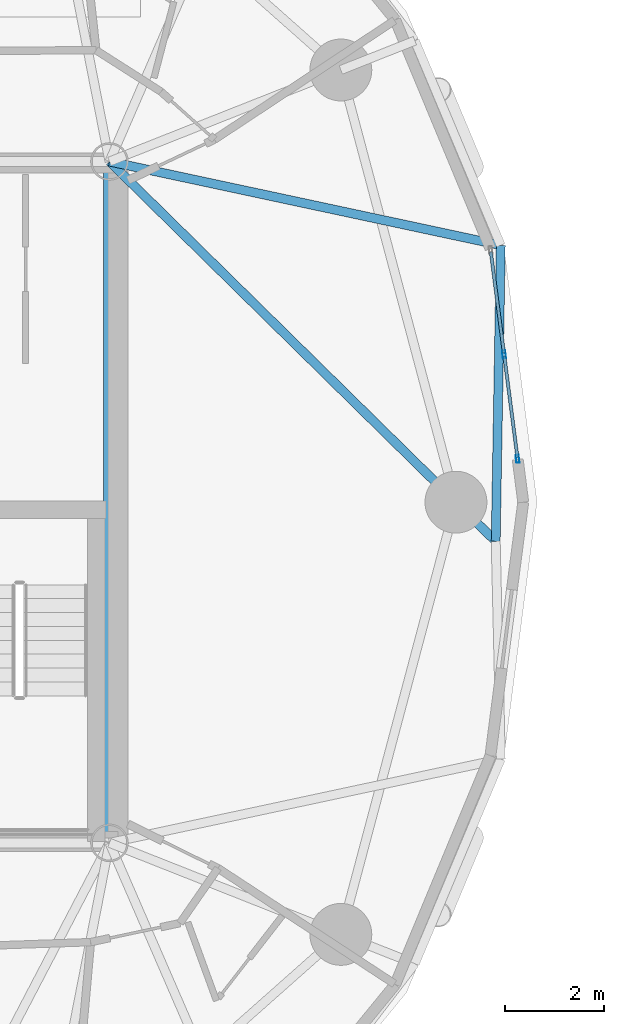
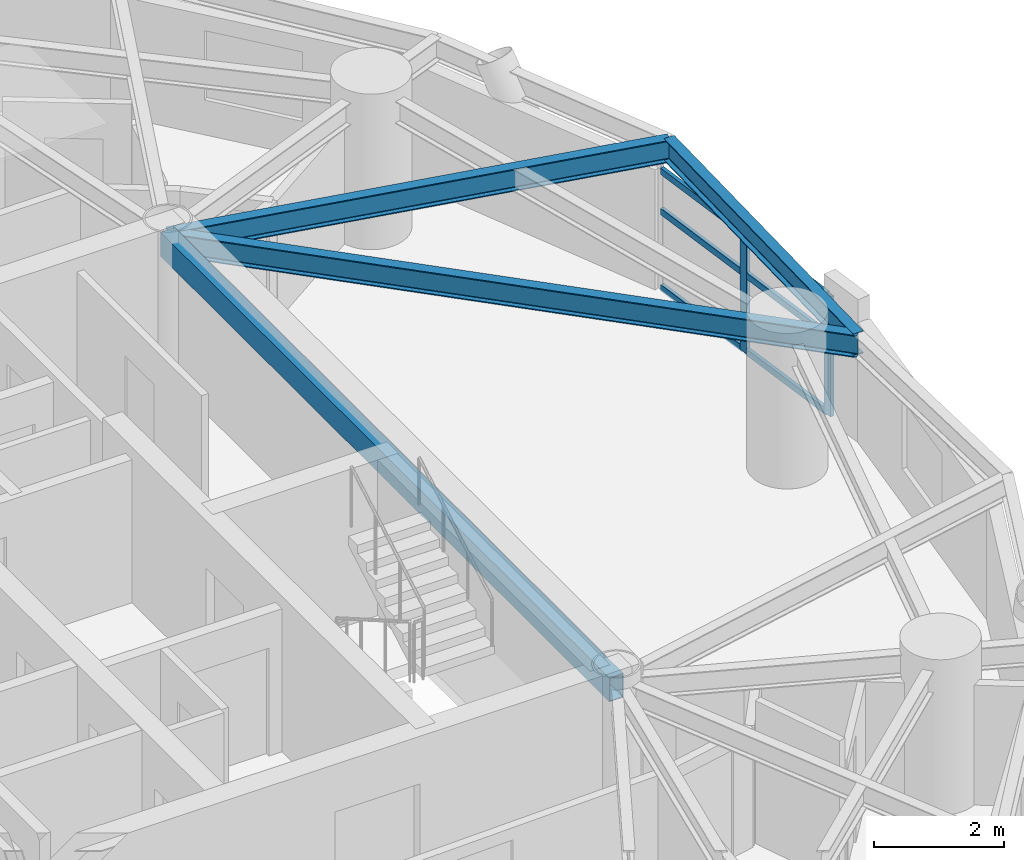
# One storey, part 2 of 16: 8 members, 4 beams, 1 element without a shape of its own.
"""IFC4 building model written with IfcOpenShell, lengths in metres."""

import ifcopenshell
import ifcopenshell.guid

model = None  # the IFC model being written
_history = None  # IfcOwnerHistory: only IFC2X3 demands one
_inside = {}  # id of a spatial element -> (the spatial element, [elements in it])
_under = {}  # id of a project, library or spatial element -> (it, [spatial elements below it])
_declared = {}  # id of a project -> (the project, [libraries it declares])
_typed = {}  # id of a type object -> (the type object, [elements of that type])
_made_of = {}  # id of a material, layer set ... -> (it, [elements and type objects made of it])


def new_model(schema):
    """Start an empty IFC model of exactly this schema.

    Asked for "IFC4X3", IfcOpenShell would pick the latest addendum, in which some entities
    have other attributes; the version numbers below select the first issue.
    IFC2X3 requires an IfcOwnerHistory on every rooted entity: one is made here for all.
    """
    global model, _history
    if schema == "IFC4X3":
        model = ifcopenshell.file(schema_version=(4, 3, 0, 0))
    else:
        model = ifcopenshell.file(schema=schema)
    _inside.clear()
    _under.clear()
    _declared.clear()
    _typed.clear()
    _made_of.clear()
    _history = None
    if model.schema == "IFC2X3":
        org = make("IfcOrganization", Name="unknown")
        user = make(
            "IfcPersonAndOrganization",
            ThePerson=make("IfcPerson", FamilyName="unknown"),
            TheOrganization=org,
        )
        app = make(
            "IfcApplication",
            ApplicationDeveloper=org,
            Version="unknown",
            ApplicationFullName="unknown",
            ApplicationIdentifier="unknown",
        )
        _history = make(
            "IfcOwnerHistory",
            OwningUser=user,
            OwningApplication=app,
            ChangeAction="ADDED",
            CreationDate=0,
        )
    return model


def make(cls, **values):
    """One entity of the class cls with the attributes given. An attribute that is None is left unset."""
    return model.create_entity(
        cls, **{name: value for name, value in values.items() if value is not None}
    )


def rooted(cls, **values):
    """An entity with a GlobalId (a new one), such as an element, a storey or a relation."""
    return make(cls, GlobalId=ifcopenshell.guid.new(), OwnerHistory=_history, **values)


def si_unit(unit_type, name, prefix=None):
    """IfcSIUnit, for example si_unit("LENGTHUNIT", "METRE", prefix="MILLI")."""
    return make("IfcSIUnit", UnitType=unit_type, Prefix=prefix, Name=name)


def assignment(units):
    """IfcUnitAssignment: the units of a project."""
    return None if units is None else make("IfcUnitAssignment", Units=units)


def point(xyz):
    """IfcCartesianPoint."""
    return None if xyz is None else make("IfcCartesianPoint", Coordinates=xyz)


def direction(xyz):
    """IfcDirection."""
    return None if xyz is None else make("IfcDirection", DirectionRatios=xyz)


def frame(location, z_axis=None, x_axis=None):
    """IfcAxis2Placement3D, a coordinate frame: its origin and axes. An axis left out is left unset."""
    return make(
        "IfcAxis2Placement3D",
        Location=point(location),
        Axis=direction(z_axis),
        RefDirection=direction(x_axis),
    )


def frame_2d(location, x_axis=None):
    """IfcAxis2Placement2D, a coordinate frame in the plane: its origin and x axis."""
    return make(
        "IfcAxis2Placement2D", Location=point(location), RefDirection=direction(x_axis)
    )


def origin():
    """The frame at (0, 0, 0) with its axes left unset."""
    return frame((0.0, 0.0, 0.0))


def origin_2d():
    """The frame at (0, 0) in the plane with its x axis left unset."""
    return frame_2d((0.0, 0.0))


def place(relative_to, where):
    """IfcLocalPlacement: puts the frame where relative to a parent placement (None: the world)."""
    return make(
        "IfcLocalPlacement", PlacementRelTo=relative_to, RelativePlacement=where
    )


def context(
    kind, dimensions, precision=None, world=None, true_north=None, identifier=None
):
    """IfcGeometricRepresentationContext, for example the 3D "Model" context."""
    return make(
        "IfcGeometricRepresentationContext",
        ContextIdentifier=identifier,
        ContextType=kind,
        CoordinateSpaceDimension=dimensions,
        Precision=precision,
        WorldCoordinateSystem=world,
        TrueNorth=true_north,
    )


def subcontext(parent, identifier, kind, view, scale=None):
    """IfcGeometricRepresentationSubContext, for example "Body" below "Model"."""
    return make(
        "IfcGeometricRepresentationSubContext",
        ContextIdentifier=identifier,
        ContextType=kind,
        ParentContext=parent,
        TargetScale=scale,
        TargetView=view,
    )


def project(units=None, contexts=None):
    """IfcProject with its units and contexts."""
    return rooted(
        "IfcProject",
        Name="project",
        RepresentationContexts=contexts,
        UnitsInContext=assignment(units),
    )


def spatial(cls, under=None, at=None, **own):
    """A site, building, storey or space (cls), placed at a placement, below another one or the project."""
    s = rooted(cls, ObjectPlacement=at, **own)
    if under is not None:
        _under.setdefault(under.id(), (under, []))[1].append(s)
    return s


def profile(cls, at=None, kind="AREA", **sizes):
    """A parametric profile (cls). Its sizes go by their IFC names, for example OverallWidth=200.0."""
    return make(cls, ProfileType=kind, Position=at, **sizes)


def hollow_rectangle(**sizes):
    """IfcRectangleHollowProfileDef."""
    return profile("IfcRectangleHollowProfileDef", **sizes)


def i_section(**sizes):
    """IfcIShapeProfileDef."""
    return profile("IfcIShapeProfileDef", **sizes)


def extrude(swept, where, along, depth):
    """IfcExtrudedAreaSolid: the profile swept, set in the frame where, extruded along a direction by depth."""
    return make(
        "IfcExtrudedAreaSolid",
        SweptArea=swept,
        Position=where,
        ExtrudedDirection=direction(along),
        Depth=depth,
    )


def shape(context_of_items, identifier, shape_type, items):
    """IfcShapeRepresentation: the items that make up one representation, for example the "Body"."""
    return make(
        "IfcShapeRepresentation",
        ContextOfItems=context_of_items,
        RepresentationIdentifier=identifier,
        RepresentationType=shape_type,
        Items=items,
    )


def material(Name=None, Category=None):
    """IfcMaterial."""
    return make("IfcMaterial", Name=Name, Category=Category)


def layer(
    of_material, thickness, ventilated=None, Name=None, Category=None, Priority=None
):
    """IfcMaterialLayer: one layer of a wall or slab, of a material (None: an air gap)."""
    return make(
        "IfcMaterialLayer",
        Material=of_material,
        LayerThickness=thickness,
        IsVentilated=ventilated,
        Name=Name,
        Category=Category,
        Priority=Priority,
    )


def layer_set(layers, Name=None):
    """IfcMaterialLayerSet."""
    return make("IfcMaterialLayerSet", MaterialLayers=layers, LayerSetName=Name)


def material_profile(
    of_material, cross_section, Name=None, Category=None, Priority=None
):
    """IfcMaterialProfile: a cross section and its material."""
    return make(
        "IfcMaterialProfile",
        Name=Name,
        Material=of_material,
        Profile=cross_section,
        Priority=Priority,
        Category=Category,
    )


def profile_set(profiles, Name=None, composite=None):
    """IfcMaterialProfileSet."""
    return make(
        "IfcMaterialProfileSet",
        Name=Name,
        MaterialProfiles=profiles,
        CompositeProfile=composite,
    )


def made_of(thing, what):
    """Note that an element or type object is made of a material, layer set ...; save() writes the relation."""
    if what is not None:
        _made_of.setdefault(what.id(), (what, []))[1].append(thing)
    return thing


def type_object(cls, material=None, **own):
    """A type object (cls), such as IfcWallType, which elements share."""
    return made_of(rooted(cls, **own), material)


def element(
    cls,
    number,
    at=None,
    inside=None,
    cuts=None,
    type_object=None,
    material=None,
    context=None,
    identifier="Body",
    shape_type=None,
    held_by="IfcProductDefinitionShape",
    body=None,
    shapes=None,
    **own,
):
    """One element of the class cls, such as IfcWall. Its Tag is "e" and its number.

    at: its placement. inside: the storey or other place that contains it. cuts: it is an
    opening in that element (IfcRelVoidsElement). A single representation is given by context,
    identifier, shape_type and body (its items); several are given by shapes. held_by: the class
    of the entity that holds the representations. save() writes the other relations.
    """
    e = rooted(cls, Tag="e%d" % number, ObjectPlacement=at, **own)
    if body is not None:
        shapes = [shape(context, identifier, shape_type, body)]
    if shapes is not None:
        e.Representation = make(held_by, Representations=shapes)
    if inside is not None:
        _inside.setdefault(inside.id(), (inside, []))[1].append(e)
    if cuts is not None:
        rooted(
            "IfcRelVoidsElement", RelatingBuildingElement=cuts, RelatedOpeningElement=e
        )
    if type_object is not None:
        _typed.setdefault(type_object.id(), (type_object, []))[1].append(e)
    return made_of(e, material)


def aggregate(whole, parts):
    """IfcRelAggregates: a whole, such as a stair, and the parts it consists of."""
    return rooted("IfcRelAggregates", RelatingObject=whole, RelatedObjects=parts)


def save(model, path):
    """Write the relations noted so far, then the file.

    IfcRelAggregates (storeys below a building ...), IfcRelContainedInSpatialStructure (elements
    in a storey), IfcRelDefinesByType, IfcRelAssociatesMaterial and IfcRelDeclares: one each for
    every whole, place, type object, material and project.
    """
    for whole, parts in _under.values():
        aggregate(whole, parts)
    for where, things in _inside.values():
        rooted(
            "IfcRelContainedInSpatialStructure",
            RelatedElements=things,
            RelatingStructure=where,
        )
    for kind, things in _typed.values():
        rooted("IfcRelDefinesByType", RelatedObjects=things, RelatingType=kind)
    for what, things in _made_of.values():
        rooted("IfcRelAssociatesMaterial", RelatedObjects=things, RelatingMaterial=what)
    for by, libraries in _declared.values():
        rooted("IfcRelDeclares", RelatingContext=by, RelatedDefinitions=libraries)
    model.write(path)


model = new_model("IFC4")

# Units and contexts
model_context = context("Model", 3, precision=1e-05, world=origin(), true_north=direction((0.0, 1.0)))
body_context = subcontext(model_context, "Body", "Model", "MODEL_VIEW")
ifc_project = project(units=[si_unit("LENGTHUNIT", "METRE"), si_unit("AREAUNIT", "SQUARE_METRE"), si_unit("VOLUMEUNIT", "CUBIC_METRE"), si_unit("PLANEANGLEUNIT", "RADIAN"), si_unit("MASSUNIT", "GRAM", prefix="KILO")], contexts=[model_context])

# Site, building, storey
site_placement = place(None, origin())
site = spatial("IfcSite", under=ifc_project, at=site_placement, CompositionType="ELEMENT")
building_placement = place(site_placement, origin())
building = spatial("IfcBuilding", under=site, at=building_placement, Name="Cununo Teusaquillo Station Towers", CompositionType="ELEMENT")
storey_placement = place(building_placement, frame((0.0, 0.0, 171.969970703125)))
storey = spatial("IfcBuildingStorey", under=building, at=storey_placement, Name="L54", CompositionType="ELEMENT", Elevation=171.969970703125)

# Beams
ifc_material_1 = material(Name="Steel EN 10025-2 S355J2", Category="steel")
ifc_material_profile_1 = material_profile(ifc_material_1, hollow_rectangle(XDim=0.25, YDim=0.449951171875, WallThickness=0.01611328125, at=origin_2d()), Name="RHS 450x250x16")
ifc_profile_set_1 = profile_set([ifc_material_profile_1], Name="Steel EN 10025-2 S355J2")
beam_type_1 = type_object("IfcBeamType", Name="BM-COUP-1", PredefinedType="USERDEFINED", material=ifc_profile_set_1)
beam_1_placement = place(storey_placement, frame((21.675048828125, 17.6201171875, 2.465087890625), z_axis=(0.0, 1.0, 0.0), x_axis=(-1.0, 0.0, 0.0)))
element("IfcBeam", 1, at=beam_1_placement, inside=storey, type_object=beam_type_1, Name="L54 Tower A Core Beam 2", ObjectType="COUPLING BEAM", PredefinedType="USERDEFINED", context=body_context, shape_type="SweptSolid", body=[
    extrude(hollow_rectangle(XDim=0.25, YDim=0.449951171875, WallThickness=0.01611328125, at=origin_2d()), origin(), (0.0, 0.0, 1.0), 13.759765625),
])
ifc_material_2 = material(Name="Steel ASTM A572 Grade 50", Category="steel")
ifc_material_profile_2 = material_profile(ifc_material_2, i_section(OverallWidth=0.180908203125, OverallDepth=0.4169921875, WebThickness=0.010986328125, FlangeThickness=0.018310546875, FilletRadius=0.012939453125, at=origin_2d()), Name="W16X57")
ifc_profile_set_2 = profile_set([ifc_material_profile_2], Name="Steel ASTM A572 Grade 50")
beam_type_2 = type_object("IfcBeamType", Name="BM-JOIST-1", PredefinedType="JOIST", material=ifc_profile_set_2)
beam_2_placement = place(storey_placement, frame((21.675048828125, 31.3798828125, 2.4814453125), z_axis=(0.977854548984, -0.209285644589, 0.0), x_axis=(0.209285644589, 0.977854548984, 0.0)))
element("IfcBeam", 2, at=beam_2_placement, inside=storey, type_object=beam_type_2, Name="L54 Tower A Radial Spandrel Joist V01", PredefinedType="JOIST", context=body_context, shape_type="SweptSolid", body=[
    extrude(i_section(OverallWidth=0.180908203125, OverallDepth=0.4169921875, WebThickness=0.010986328125, FlangeThickness=0.018310546875, FilletRadius=0.012939453125, at=origin_2d()), origin(), (0.0, 0.0, 1.0), 8.081787109375),
])
ifc_material_3 = material(Name="Steel ASTM A572 Grade 50", Category="steel")
ifc_material_profile_3 = material_profile(ifc_material_3, i_section(OverallWidth=0.180908203125, OverallDepth=0.4169921875, WebThickness=0.010986328125, FlangeThickness=0.018310546875, FilletRadius=0.012939453125, at=origin_2d()), Name="W16X57")
ifc_profile_set_3 = profile_set([ifc_material_profile_3], Name="Steel ASTM A572 Grade 50")
beam_type_3 = type_object("IfcBeamType", Name="BM-RAD-G2", PredefinedType="BEAM", material=ifc_profile_set_3)
beam_3_placement = place(storey_placement, frame((21.675048828125, 31.3798828125, 2.4814453125), z_axis=(0.713051946152, -0.701111205223, 0.0), x_axis=(0.701111205223, 0.713051946152, 0.0)))
element("IfcBeam", 3, at=beam_3_placement, inside=storey, type_object=beam_type_3, Name="L54 Tower A Continuous Overhanging Radial Girder 01", PredefinedType="BEAM", context=body_context, shape_type="SweptSolid", body=[
    extrude(i_section(OverallWidth=0.180908203125, OverallDepth=0.4169921875, WebThickness=0.010986328125, FlangeThickness=0.018310546875, FilletRadius=0.012939453125, at=origin_2d()), origin(), (0.0, 0.0, 1.0), 10.938720703125),
])
ifc_material_4 = material(Name="Steel ASTM A572 Grade 50", Category="steel")
ifc_material_profile_4 = material_profile(ifc_material_4, i_section(OverallWidth=0.180908203125, OverallDepth=0.4169921875, WebThickness=0.010986328125, FlangeThickness=0.018310546875, FilletRadius=0.012939453125, at=origin_2d()), Name="W16X57")
ifc_profile_set_4 = profile_set([ifc_material_profile_4], Name="Steel ASTM A572 Grade 50")
beam_type_4 = type_object("IfcBeamType", Name="BM-RING-Z3", PredefinedType="SPANDREL", material=ifc_profile_set_4)
beam_4_placement = place(storey_placement, frame((29.474853515625, 23.710693359375, 2.4814453125), z_axis=(0.017232482627, 0.999851509747, 0.0), x_axis=(-0.999851509747, 0.017232482627, 0.0)))
element("IfcBeam", 4, at=beam_4_placement, inside=storey, type_object=beam_type_4, Name="L54 Tower A Spandrel Ring Beam 01", PredefinedType="SPANDREL", context=body_context, shape_type="SweptSolid", body=[
    extrude(i_section(OverallWidth=0.180908203125, OverallDepth=0.4169921875, WebThickness=0.010986328125, FlangeThickness=0.018310546875, FilletRadius=0.012939453125, at=origin_2d()), origin(), (0.0, 0.0, 1.0), 5.978759765625),
])

# Curtain wall, members
ifc_material_5 = material(Name="Operable acoustic tinted low-E double glazing", Category="glass")
ifc_layer = layer(ifc_material_5, 0.179931640625)
ifc_layer_set = layer_set([ifc_layer], Name="Operable acoustic tinted low-E double glazing")
curtain_wall_type = type_object("IfcCurtainWallType", Name="CW-SYS-06", PredefinedType="USERDEFINED", material=ifc_layer_set)
curtain_wall_placement = place(storey_placement, origin())
curtain_wall = element("IfcCurtainWall", 5, at=curtain_wall_placement, inside=storey, type_object=curtain_wall_type, Name="L54 Tower A Facade Curtain Wall C00", ObjectType="OPERABLE GLAZING", PredefinedType="USERDEFINED")
ifc_material_6 = material(Name="Anodised dark bronze aluminium EN AW-6063-T6", Category="aluminium")
ifc_material_profile_5 = material_profile(ifc_material_6, hollow_rectangle(XDim=0.06494140625, YDim=0.159912109375, WallThickness=0.00390625, at=origin_2d()), Name="CW-MULL-65x160")
ifc_profile_set_5 = profile_set([ifc_material_profile_5], Name="Anodised dark bronze aluminium EN AW-6063-T6")
member_type_1 = type_object("IfcMemberType", Name="CWM-160", PredefinedType="MULLION", material=ifc_profile_set_5)
member_1_placement = place(storey_placement, frame((29.645263671875, 27.481689453125, 0.0), z_axis=(0.0, 0.0, 1.0), x_axis=(0.991737283761, 0.128285462927, 0.0)))
member_1 = element("IfcMember", 6, at=member_1_placement, type_object=member_type_1, Name="CW-06 mullion 2", PredefinedType="MULLION", context=body_context, shape_type="SweptSolid", body=[
    extrude(hollow_rectangle(XDim=0.06494140625, YDim=0.159912109375, WallThickness=0.00390625, at=origin_2d()), origin(), (0.0, 0.0, 1.0), 2.2451171875),
])
member_2_placement = place(storey_placement, frame((29.917724609375, 25.375244140625, 0.0), z_axis=(0.0, 0.0, 1.0), x_axis=(0.991737283761, 0.128285462927, 0.0)))
member_2 = element("IfcMember", 7, at=member_2_placement, type_object=member_type_1, Name="CW-06 mullion 3", PredefinedType="MULLION", context=body_context, shape_type="SweptSolid", body=[
    extrude(hollow_rectangle(XDim=0.06494140625, YDim=0.159912109375, WallThickness=0.00390625, at=origin_2d()), origin(), (0.0, 0.0, 1.0), 2.2451171875),
])
ifc_material_7 = material(Name="Anodised dark bronze aluminium EN AW-6063-T6", Category="aluminium")
ifc_material_profile_6 = material_profile(ifc_material_7, hollow_rectangle(XDim=0.06494140625, YDim=0.1201171875, WallThickness=0.00390625, at=origin_2d()), Name="CW-TRAN-65x120")
ifc_profile_set_6 = profile_set([ifc_material_profile_6], Name="Anodised dark bronze aluminium EN AW-6063-T6")
member_type_2 = type_object("IfcMemberType", Name="CWT-120", PredefinedType="USERDEFINED", material=ifc_profile_set_6)
member_3_placement = place(storey_placement, frame((29.376953125, 29.555908203125, 0.032470703125), z_axis=(0.128294885484, -0.991736064867, 0.0), x_axis=(0.991736064867, 0.128294885484, 0.0)))
member_3 = element("IfcMember", 8, at=member_3_placement, type_object=member_type_2, Name="CW-06 transom 1.1", ObjectType="TRANSOM", PredefinedType="USERDEFINED", context=body_context, shape_type="SweptSolid", body=[
    extrude(hollow_rectangle(XDim=0.06494140625, YDim=0.1201171875, WallThickness=0.00390625, at=origin_2d()), origin(), (0.0, 0.0, 1.0), 2.05908203125),
])
member_4_placement = place(storey_placement, frame((29.376953125, 29.555908203125, 1.458984375), z_axis=(0.128294885484, -0.991736064867, 0.0), x_axis=(0.991736064867, 0.128294885484, 0.0)))
member_4 = element("IfcMember", 9, at=member_4_placement, type_object=member_type_2, Name="CW-06 transom 1.2", ObjectType="TRANSOM", PredefinedType="USERDEFINED", context=body_context, shape_type="SweptSolid", body=[
    extrude(hollow_rectangle(XDim=0.06494140625, YDim=0.1201171875, WallThickness=0.00390625, at=origin_2d()), origin(), (0.0, 0.0, 1.0), 2.05908203125),
])
member_5_placement = place(storey_placement, frame((29.376953125, 29.555908203125, 2.212646484375), z_axis=(0.128294885484, -0.991736064867, 0.0), x_axis=(0.991736064867, 0.128294885484, 0.0)))
member_5 = element("IfcMember", 10, at=member_5_placement, type_object=member_type_2, Name="CW-06 transom 1.3", ObjectType="TRANSOM", PredefinedType="USERDEFINED", context=body_context, shape_type="SweptSolid", body=[
    extrude(hollow_rectangle(XDim=0.06494140625, YDim=0.1201171875, WallThickness=0.00390625, at=origin_2d()), origin(), (0.0, 0.0, 1.0), 2.05908203125),
])
member_6_placement = place(storey_placement, frame((29.6494140625, 27.449462890625, 0.032470703125), z_axis=(0.128294885484, -0.991736064867, 0.0), x_axis=(0.991736064867, 0.128294885484, 0.0)))
member_6 = element("IfcMember", 11, at=member_6_placement, type_object=member_type_2, Name="CW-06 transom 2.1", ObjectType="TRANSOM", PredefinedType="USERDEFINED", context=body_context, shape_type="SweptSolid", body=[
    extrude(hollow_rectangle(XDim=0.06494140625, YDim=0.1201171875, WallThickness=0.00390625, at=origin_2d()), origin(), (0.0, 0.0, 1.0), 2.05908203125),
])
member_7_placement = place(storey_placement, frame((29.6494140625, 27.449462890625, 1.458984375), z_axis=(0.128294885484, -0.991736064867, 0.0), x_axis=(0.991736064867, 0.128294885484, 0.0)))
member_7 = element("IfcMember", 12, at=member_7_placement, type_object=member_type_2, Name="CW-06 transom 2.2", ObjectType="TRANSOM", PredefinedType="USERDEFINED", context=body_context, shape_type="SweptSolid", body=[
    extrude(hollow_rectangle(XDim=0.06494140625, YDim=0.1201171875, WallThickness=0.00390625, at=origin_2d()), origin(), (0.0, 0.0, 1.0), 2.05908203125),
])
member_8_placement = place(storey_placement, frame((29.6494140625, 27.449462890625, 2.212646484375), z_axis=(0.128294885484, -0.991736064867, 0.0), x_axis=(0.991736064867, 0.128294885484, 0.0)))
member_8 = element("IfcMember", 13, at=member_8_placement, type_object=member_type_2, Name="CW-06 transom 2.3", ObjectType="TRANSOM", PredefinedType="USERDEFINED", context=body_context, shape_type="SweptSolid", body=[
    extrude(hollow_rectangle(XDim=0.06494140625, YDim=0.1201171875, WallThickness=0.00390625, at=origin_2d()), origin(), (0.0, 0.0, 1.0), 2.05908203125),
])
aggregate(curtain_wall, [member_1, member_2, member_3, member_4, member_5, member_6, member_7, member_8])

save(model, "model.ifc")
